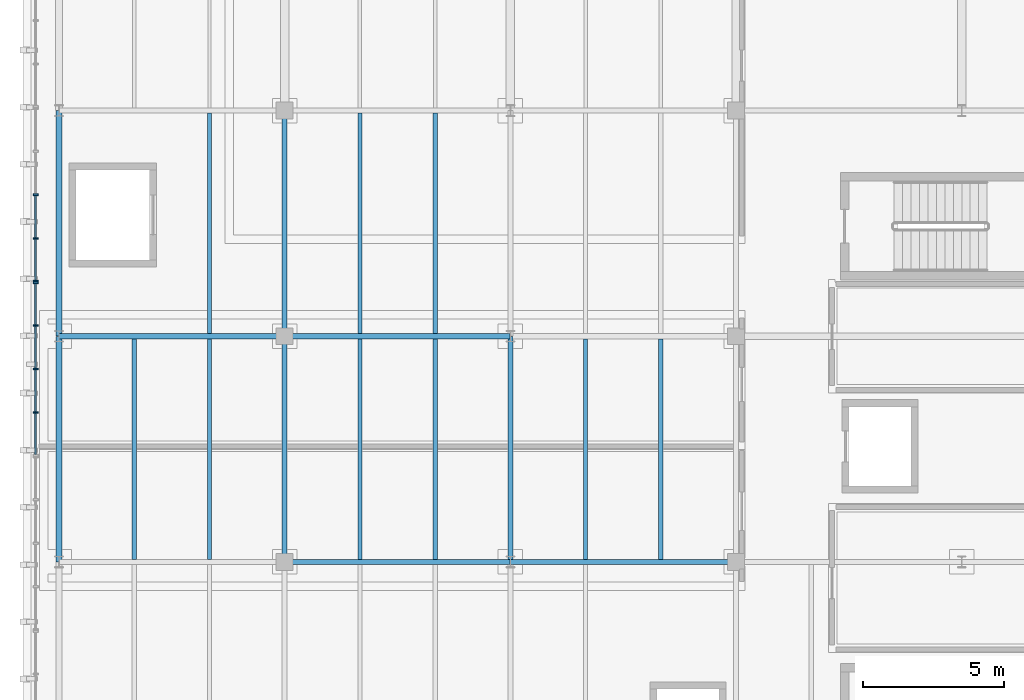
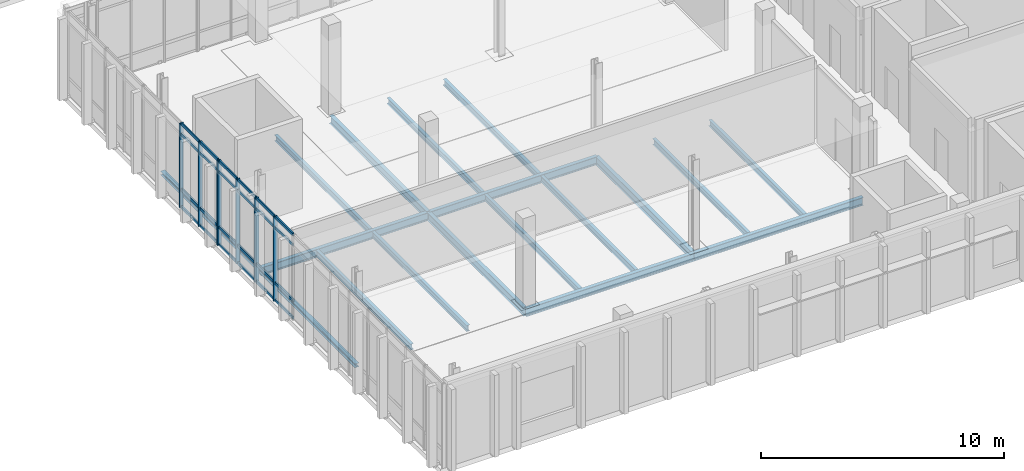
# One storey, part 8 of 62: 31 members, 18 beams, 2 elements without a shape of their own.
"""IFC4 building model written with IfcOpenShell, lengths in metres."""

from ifc_helpers import new_model, si_unit, direction, frame, origin, origin_2d, place, context, subcontext, project, spatial, rectangle, i_section, extrude, material, material_profile, profile_set, type_object, element, aggregate, save


model = new_model("IFC4")

# Units and contexts
model_context = context("Model", 3, precision=1e-05, world=origin(), true_north=direction((0.0, 1.0)))
body_context = subcontext(model_context, "Body", "Model", "MODEL_VIEW")
ifc_project = project(units=[si_unit("LENGTHUNIT", "METRE"), si_unit("AREAUNIT", "SQUARE_METRE"), si_unit("VOLUMEUNIT", "CUBIC_METRE"), si_unit("PLANEANGLEUNIT", "RADIAN"), si_unit("MASSUNIT", "GRAM", prefix="KILO")], contexts=[model_context])

# Site, building, storey
site_placement = place(None, origin())
site = spatial("IfcSite", under=ifc_project, at=site_placement, CompositionType="ELEMENT")
building_placement = place(site_placement, origin())
building = spatial("IfcBuilding", under=site, at=building_placement, Name="Cymarion Research Institute", CompositionType="ELEMENT")
storey_placement = place(building_placement, frame((0.0, 0.0, 18.300048828125)))
storey = spatial("IfcBuildingStorey", under=building, at=storey_placement, Name="L04", CompositionType="ELEMENT", Elevation=18.300048828125)

# Curtain wall, members
ifc_material_1 = material(Name="Anodised aluminium unitised curtain wall with Low-E glazing", Category="aluminium")
curtain_wall_type = type_object("IfcCurtainWallType", Name="UNITISED CURTAIN WALL CW43 6180X4240", PredefinedType="NOTDEFINED", material=ifc_material_1)
curtain_wall_1_placement = place(storey_placement, origin())
curtain_wall_1 = element("IfcCurtainWall", 1, at=curtain_wall_1_placement, inside=storey, type_object=curtain_wall_type, Name="L04 V4 unitised curtain wall CW43 #189", PredefinedType="NOTDEFINED")
ifc_material_2 = material(Name="Anodised aluminium framing", Category="aluminium")
ifc_material_profile_1 = material_profile(ifc_material_2, rectangle(XDim=0.06005859375, YDim=0.179931640625, at=origin_2d()), Name="ALU MULLION 60x180")
ifc_profile_set_1 = profile_set([ifc_material_profile_1], Name="Anodised aluminium framing")
member_type_1 = type_object("IfcMemberType", Name="CURTAIN WALL MULLION ML01 60X180", PredefinedType="MULLION", material=ifc_profile_set_1)
member_1_placement = place(storey_placement, frame((5.77001953125, 68.5146484375, 0.0), z_axis=(0.0, 0.0, 1.0), x_axis=(0.0, -1.0, 0.0)))
member_1 = element("IfcMember", 2, at=member_1_placement, type_object=member_type_1, Name="CW43 mullion 3", PredefinedType="MULLION", context=body_context, shape_type="SweptSolid", body=[
    extrude(rectangle(XDim=0.06005859375, YDim=0.179931640625, at=origin_2d()), origin(), (0.0, 0.0, 1.0), 4.239990234375),
])
member_2_placement = place(storey_placement, frame((5.77001953125, 66.970703125, 0.0), z_axis=(0.0, 0.0, 1.0), x_axis=(0.0, -1.0, 0.0)))
member_2 = element("IfcMember", 3, at=member_2_placement, type_object=member_type_1, Name="CW43 mullion 4", PredefinedType="MULLION", context=body_context, shape_type="SweptSolid", body=[
    extrude(rectangle(XDim=0.06005859375, YDim=0.179931640625, at=origin_2d()), origin(), (0.0, 0.0, 1.0), 4.239990234375),
])
member_3_placement = place(storey_placement, frame((5.77001953125, 65.456787109375, 0.0), z_axis=(0.0, 0.0, 1.0), x_axis=(0.0, -1.0, 0.0)))
member_3 = element("IfcMember", 4, at=member_3_placement, type_object=member_type_1, Name="CW43 mullion 5", PredefinedType="MULLION", context=body_context, shape_type="SweptSolid", body=[
    extrude(rectangle(XDim=0.06005859375, YDim=0.179931640625, at=origin_2d()), origin(), (0.0, 0.0, 1.0), 4.239990234375),
])

curtain_wall_2_placement = place(storey_placement, origin())
curtain_wall_2 = element("IfcCurtainWall", 5, at=curtain_wall_2_placement, inside=storey, type_object=curtain_wall_type, Name="L04 V4 unitised curtain wall CW43 #190", PredefinedType="NOTDEFINED")
member_4_placement = place(storey_placement, frame((5.77001953125, 65.396728515625, 0.0), z_axis=(0.0, 0.0, 1.0), x_axis=(0.0, -1.0, 0.0)))
member_4 = element("IfcMember", 6, at=member_4_placement, type_object=member_type_1, Name="CW43 mullion 1", PredefinedType="MULLION", context=body_context, shape_type="SweptSolid", body=[
    extrude(rectangle(XDim=0.06005859375, YDim=0.179931640625, at=origin_2d()), origin(), (0.0, 0.0, 1.0), 4.239990234375),
])
member_5_placement = place(storey_placement, frame((5.77001953125, 63.8828125, 0.0), z_axis=(0.0, 0.0, 1.0), x_axis=(0.0, -1.0, 0.0)))
member_5 = element("IfcMember", 7, at=member_5_placement, type_object=member_type_1, Name="CW43 mullion 2", PredefinedType="MULLION", context=body_context, shape_type="SweptSolid", body=[
    extrude(rectangle(XDim=0.06005859375, YDim=0.179931640625, at=origin_2d()), origin(), (0.0, 0.0, 1.0), 4.239990234375),
])
member_6_placement = place(storey_placement, frame((5.77001953125, 62.339111328125, 0.0), z_axis=(0.0, 0.0, 1.0), x_axis=(0.0, -1.0, 0.0)))
member_6 = element("IfcMember", 8, at=member_6_placement, type_object=member_type_1, Name="CW43 mullion 3", PredefinedType="MULLION", context=body_context, shape_type="SweptSolid", body=[
    extrude(rectangle(XDim=0.06005859375, YDim=0.179931640625, at=origin_2d()), origin(), (0.0, 0.0, 1.0), 4.239990234375),
])
member_7_placement = place(storey_placement, frame((5.77001953125, 60.795166015625, 0.0), z_axis=(0.0, 0.0, 1.0), x_axis=(0.0, -1.0, 0.0)))
member_7 = element("IfcMember", 9, at=member_7_placement, type_object=member_type_1, Name="CW43 mullion 4", PredefinedType="MULLION", context=body_context, shape_type="SweptSolid", body=[
    extrude(rectangle(XDim=0.06005859375, YDim=0.179931640625, at=origin_2d()), origin(), (0.0, 0.0, 1.0), 4.239990234375),
])

# Member
ifc_material_profile_2 = material_profile(ifc_material_2, rectangle(XDim=0.06005859375, YDim=0.14990234375, at=origin_2d()), Name="ALU TRANSOM 60x150")
ifc_profile_set_2 = profile_set([ifc_material_profile_2], Name="Anodised aluminium framing")
member_type_2 = type_object("IfcMemberType", Name="CURTAIN WALL TRANSOM TR01 60X150", PredefinedType="USERDEFINED", material=ifc_profile_set_2)
member_8_placement = place(storey_placement, frame((5.77001953125, 68.484619140625, 0.030029296875), z_axis=(0.0, -1.0, 0.0), x_axis=(1.0, 0.0, 0.0)))
member_8 = element("IfcMember", 10, at=member_8_placement, type_object=member_type_2, Name="CW43 transom 3.1", ObjectType="TRANSOM", PredefinedType="USERDEFINED", context=body_context, shape_type="SweptSolid", body=[
    extrude(rectangle(XDim=0.06005859375, YDim=0.14990234375, at=origin_2d()), origin(), (0.0, 0.0, 1.0), 1.48388671875),
])

member_9_placement = place(storey_placement, frame((5.77001953125, 68.484619140625, 0.89990234375), z_axis=(0.0, -1.0, 0.0), x_axis=(1.0, 0.0, 0.0)))
member_9 = element("IfcMember", 11, at=member_9_placement, type_object=member_type_2, Name="CW43 transom 3.2", ObjectType="TRANSOM", PredefinedType="USERDEFINED", context=body_context, shape_type="SweptSolid", body=[
    extrude(rectangle(XDim=0.06005859375, YDim=0.14990234375, at=origin_2d()), origin(), (0.0, 0.0, 1.0), 1.48388671875),
])

member_10_placement = place(storey_placement, frame((5.77001953125, 68.484619140625, 3.68994140625), z_axis=(0.0, -1.0, 0.0), x_axis=(1.0, 0.0, 0.0)))
member_10 = element("IfcMember", 12, at=member_10_placement, type_object=member_type_2, Name="CW43 transom 3.3", ObjectType="TRANSOM", PredefinedType="USERDEFINED", context=body_context, shape_type="SweptSolid", body=[
    extrude(rectangle(XDim=0.06005859375, YDim=0.14990234375, at=origin_2d()), origin(), (0.0, 0.0, 1.0), 1.48388671875),
])

member_11_placement = place(storey_placement, frame((5.77001953125, 68.484619140625, 4.2099609375), z_axis=(0.0, -1.0, 0.0), x_axis=(1.0, 0.0, 0.0)))
member_11 = element("IfcMember", 13, at=member_11_placement, type_object=member_type_2, Name="CW43 transom 3.4", ObjectType="TRANSOM", PredefinedType="USERDEFINED", context=body_context, shape_type="SweptSolid", body=[
    extrude(rectangle(XDim=0.06005859375, YDim=0.14990234375, at=origin_2d()), origin(), (0.0, 0.0, 1.0), 1.48388671875),
])

member_12_placement = place(storey_placement, frame((5.77001953125, 66.940673828125, 0.030029296875), z_axis=(0.0, -1.0, 0.0), x_axis=(1.0, 0.0, 0.0)))
member_12 = element("IfcMember", 14, at=member_12_placement, type_object=member_type_2, Name="CW43 transom 4.1", ObjectType="TRANSOM", PredefinedType="USERDEFINED", context=body_context, shape_type="SweptSolid", body=[
    extrude(rectangle(XDim=0.06005859375, YDim=0.14990234375, at=origin_2d()), origin(), (0.0, 0.0, 1.0), 1.453857421875),
])

member_13_placement = place(storey_placement, frame((5.77001953125, 66.940673828125, 0.89990234375), z_axis=(0.0, -1.0, 0.0), x_axis=(1.0, 0.0, 0.0)))
member_13 = element("IfcMember", 15, at=member_13_placement, type_object=member_type_2, Name="CW43 transom 4.2", ObjectType="TRANSOM", PredefinedType="USERDEFINED", context=body_context, shape_type="SweptSolid", body=[
    extrude(rectangle(XDim=0.06005859375, YDim=0.14990234375, at=origin_2d()), origin(), (0.0, 0.0, 1.0), 1.453857421875),
])

member_14_placement = place(storey_placement, frame((5.77001953125, 66.940673828125, 3.68994140625), z_axis=(0.0, -1.0, 0.0), x_axis=(1.0, 0.0, 0.0)))
member_14 = element("IfcMember", 16, at=member_14_placement, type_object=member_type_2, Name="CW43 transom 4.3", ObjectType="TRANSOM", PredefinedType="USERDEFINED", context=body_context, shape_type="SweptSolid", body=[
    extrude(rectangle(XDim=0.06005859375, YDim=0.14990234375, at=origin_2d()), origin(), (0.0, 0.0, 1.0), 1.453857421875),
])

member_15_placement = place(storey_placement, frame((5.77001953125, 66.940673828125, 4.2099609375), z_axis=(0.0, -1.0, 0.0), x_axis=(1.0, 0.0, 0.0)))
member_15 = element("IfcMember", 17, at=member_15_placement, type_object=member_type_2, Name="CW43 transom 4.4", ObjectType="TRANSOM", PredefinedType="USERDEFINED", context=body_context, shape_type="SweptSolid", body=[
    extrude(rectangle(XDim=0.06005859375, YDim=0.14990234375, at=origin_2d()), origin(), (0.0, 0.0, 1.0), 1.453857421875),
])

aggregate(curtain_wall_1, [member_1, member_2, member_3, member_8, member_9, member_10, member_11, member_12, member_13, member_14, member_15])

member_16_placement = place(storey_placement, frame((5.77001953125, 65.36669921875, 0.030029296875), z_axis=(0.0, -1.0, 0.0), x_axis=(1.0, 0.0, 0.0)))
member_16 = element("IfcMember", 18, at=member_16_placement, type_object=member_type_2, Name="CW43 transom 1.1", ObjectType="TRANSOM", PredefinedType="USERDEFINED", context=body_context, shape_type="SweptSolid", body=[
    extrude(rectangle(XDim=0.06005859375, YDim=0.14990234375, at=origin_2d()), origin(), (0.0, 0.0, 1.0), 1.453857421875),
])

member_17_placement = place(storey_placement, frame((5.77001953125, 65.36669921875, 0.89990234375), z_axis=(0.0, -1.0, 0.0), x_axis=(1.0, 0.0, 0.0)))
member_17 = element("IfcMember", 19, at=member_17_placement, type_object=member_type_2, Name="CW43 transom 1.2", ObjectType="TRANSOM", PredefinedType="USERDEFINED", context=body_context, shape_type="SweptSolid", body=[
    extrude(rectangle(XDim=0.06005859375, YDim=0.14990234375, at=origin_2d()), origin(), (0.0, 0.0, 1.0), 1.453857421875),
])

member_18_placement = place(storey_placement, frame((5.77001953125, 65.36669921875, 3.68994140625), z_axis=(0.0, -1.0, 0.0), x_axis=(1.0, 0.0, 0.0)))
member_18 = element("IfcMember", 20, at=member_18_placement, type_object=member_type_2, Name="CW43 transom 1.3", ObjectType="TRANSOM", PredefinedType="USERDEFINED", context=body_context, shape_type="SweptSolid", body=[
    extrude(rectangle(XDim=0.06005859375, YDim=0.14990234375, at=origin_2d()), origin(), (0.0, 0.0, 1.0), 1.453857421875),
])

member_19_placement = place(storey_placement, frame((5.77001953125, 65.36669921875, 4.2099609375), z_axis=(0.0, -1.0, 0.0), x_axis=(1.0, 0.0, 0.0)))
member_19 = element("IfcMember", 21, at=member_19_placement, type_object=member_type_2, Name="CW43 transom 1.4", ObjectType="TRANSOM", PredefinedType="USERDEFINED", context=body_context, shape_type="SweptSolid", body=[
    extrude(rectangle(XDim=0.06005859375, YDim=0.14990234375, at=origin_2d()), origin(), (0.0, 0.0, 1.0), 1.453857421875),
])

member_20_placement = place(storey_placement, frame((5.77001953125, 63.852783203125, 0.030029296875), z_axis=(0.0, -1.0, 0.0), x_axis=(1.0, 0.0, 0.0)))
member_20 = element("IfcMember", 22, at=member_20_placement, type_object=member_type_2, Name="CW43 transom 2.1", ObjectType="TRANSOM", PredefinedType="USERDEFINED", context=body_context, shape_type="SweptSolid", body=[
    extrude(rectangle(XDim=0.06005859375, YDim=0.14990234375, at=origin_2d()), origin(), (0.0, 0.0, 1.0), 1.48388671875),
])

member_21_placement = place(storey_placement, frame((5.77001953125, 63.852783203125, 0.89990234375), z_axis=(0.0, -1.0, 0.0), x_axis=(1.0, 0.0, 0.0)))
member_21 = element("IfcMember", 23, at=member_21_placement, type_object=member_type_2, Name="CW43 transom 2.2", ObjectType="TRANSOM", PredefinedType="USERDEFINED", context=body_context, shape_type="SweptSolid", body=[
    extrude(rectangle(XDim=0.06005859375, YDim=0.14990234375, at=origin_2d()), origin(), (0.0, 0.0, 1.0), 1.48388671875),
])

member_22_placement = place(storey_placement, frame((5.77001953125, 63.852783203125, 3.68994140625), z_axis=(0.0, -1.0, 0.0), x_axis=(1.0, 0.0, 0.0)))
member_22 = element("IfcMember", 24, at=member_22_placement, type_object=member_type_2, Name="CW43 transom 2.3", ObjectType="TRANSOM", PredefinedType="USERDEFINED", context=body_context, shape_type="SweptSolid", body=[
    extrude(rectangle(XDim=0.06005859375, YDim=0.14990234375, at=origin_2d()), origin(), (0.0, 0.0, 1.0), 1.48388671875),
])

member_23_placement = place(storey_placement, frame((5.77001953125, 63.852783203125, 4.2099609375), z_axis=(0.0, -1.0, 0.0), x_axis=(1.0, 0.0, 0.0)))
member_23 = element("IfcMember", 25, at=member_23_placement, type_object=member_type_2, Name="CW43 transom 2.4", ObjectType="TRANSOM", PredefinedType="USERDEFINED", context=body_context, shape_type="SweptSolid", body=[
    extrude(rectangle(XDim=0.06005859375, YDim=0.14990234375, at=origin_2d()), origin(), (0.0, 0.0, 1.0), 1.48388671875),
])

member_24_placement = place(storey_placement, frame((5.77001953125, 62.30908203125, 0.030029296875), z_axis=(0.0, -1.0, 0.0), x_axis=(1.0, 0.0, 0.0)))
member_24 = element("IfcMember", 26, at=member_24_placement, type_object=member_type_2, Name="CW43 transom 3.1", ObjectType="TRANSOM", PredefinedType="USERDEFINED", context=body_context, shape_type="SweptSolid", body=[
    extrude(rectangle(XDim=0.06005859375, YDim=0.14990234375, at=origin_2d()), origin(), (0.0, 0.0, 1.0), 1.48388671875),
])

member_25_placement = place(storey_placement, frame((5.77001953125, 62.30908203125, 0.89990234375), z_axis=(0.0, -1.0, 0.0), x_axis=(1.0, 0.0, 0.0)))
member_25 = element("IfcMember", 27, at=member_25_placement, type_object=member_type_2, Name="CW43 transom 3.2", ObjectType="TRANSOM", PredefinedType="USERDEFINED", context=body_context, shape_type="SweptSolid", body=[
    extrude(rectangle(XDim=0.06005859375, YDim=0.14990234375, at=origin_2d()), origin(), (0.0, 0.0, 1.0), 1.48388671875),
])

member_26_placement = place(storey_placement, frame((5.77001953125, 62.30908203125, 3.68994140625), z_axis=(0.0, -1.0, 0.0), x_axis=(1.0, 0.0, 0.0)))
member_26 = element("IfcMember", 28, at=member_26_placement, type_object=member_type_2, Name="CW43 transom 3.3", ObjectType="TRANSOM", PredefinedType="USERDEFINED", context=body_context, shape_type="SweptSolid", body=[
    extrude(rectangle(XDim=0.06005859375, YDim=0.14990234375, at=origin_2d()), origin(), (0.0, 0.0, 1.0), 1.48388671875),
])

member_27_placement = place(storey_placement, frame((5.77001953125, 62.30908203125, 4.2099609375), z_axis=(0.0, -1.0, 0.0), x_axis=(1.0, 0.0, 0.0)))
member_27 = element("IfcMember", 29, at=member_27_placement, type_object=member_type_2, Name="CW43 transom 3.4", ObjectType="TRANSOM", PredefinedType="USERDEFINED", context=body_context, shape_type="SweptSolid", body=[
    extrude(rectangle(XDim=0.06005859375, YDim=0.14990234375, at=origin_2d()), origin(), (0.0, 0.0, 1.0), 1.48388671875),
])

member_28_placement = place(storey_placement, frame((5.77001953125, 60.76513671875, 0.030029296875), z_axis=(0.0, -1.0, 0.0), x_axis=(1.0, 0.0, 0.0)))
member_28 = element("IfcMember", 30, at=member_28_placement, type_object=member_type_2, Name="CW43 transom 4.1", ObjectType="TRANSOM", PredefinedType="USERDEFINED", context=body_context, shape_type="SweptSolid", body=[
    extrude(rectangle(XDim=0.06005859375, YDim=0.14990234375, at=origin_2d()), origin(), (0.0, 0.0, 1.0), 1.453857421875),
])

member_29_placement = place(storey_placement, frame((5.77001953125, 60.76513671875, 0.89990234375), z_axis=(0.0, -1.0, 0.0), x_axis=(1.0, 0.0, 0.0)))
member_29 = element("IfcMember", 31, at=member_29_placement, type_object=member_type_2, Name="CW43 transom 4.2", ObjectType="TRANSOM", PredefinedType="USERDEFINED", context=body_context, shape_type="SweptSolid", body=[
    extrude(rectangle(XDim=0.06005859375, YDim=0.14990234375, at=origin_2d()), origin(), (0.0, 0.0, 1.0), 1.453857421875),
])

member_30_placement = place(storey_placement, frame((5.77001953125, 60.76513671875, 3.68994140625), z_axis=(0.0, -1.0, 0.0), x_axis=(1.0, 0.0, 0.0)))
member_30 = element("IfcMember", 32, at=member_30_placement, type_object=member_type_2, Name="CW43 transom 4.3", ObjectType="TRANSOM", PredefinedType="USERDEFINED", context=body_context, shape_type="SweptSolid", body=[
    extrude(rectangle(XDim=0.06005859375, YDim=0.14990234375, at=origin_2d()), origin(), (0.0, 0.0, 1.0), 1.453857421875),
])

member_31_placement = place(storey_placement, frame((5.77001953125, 60.76513671875, 4.2099609375), z_axis=(0.0, -1.0, 0.0), x_axis=(1.0, 0.0, 0.0)))
member_31 = element("IfcMember", 33, at=member_31_placement, type_object=member_type_2, Name="CW43 transom 4.4", ObjectType="TRANSOM", PredefinedType="USERDEFINED", context=body_context, shape_type="SweptSolid", body=[
    extrude(rectangle(XDim=0.06005859375, YDim=0.14990234375, at=origin_2d()), origin(), (0.0, 0.0, 1.0), 1.453857421875),
])

aggregate(curtain_wall_2, [member_4, member_5, member_6, member_7, member_16, member_17, member_18, member_19, member_20, member_21, member_22, member_23, member_24, member_25, member_26, member_27, member_28, member_29, member_30, member_31])

# Beams
ifc_material_3 = material(Name="Steel S355", Category="steel")
ifc_material_profile_3 = material_profile(ifc_material_3, i_section(OverallWidth=0.179931640625, OverallDepth=0.39990234375, WebThickness=0.008544921875, FlangeThickness=0.013427734375, FilletRadius=0.02099609375, at=origin_2d()), Name="IPE 400")
ifc_profile_set_3 = profile_set([ifc_material_profile_3], Name="Steel S355")
beam_type_1 = type_object("IfcBeamType", Name="PRIMARY GIRDER BM05 IPE 400", PredefinedType="BEAM", material=ifc_profile_set_3)
for number, where, z_axis, x_axis, name in (
    (34, (14.60595703125, 55.5, -0.449951171875), (1.0, 0.0, 0.0), (0.0, 1.0, 0.0), "L04 V4 girder BM05 #1708"),
    (35, (22.60595703125, 55.5, -0.449951171875), (1.0, 0.0, 0.0), (0.0, 1.0, 0.0), "L04 V4 girder BM05 #1709"),
    (36, (6.60595703125, 63.5, -0.449951171875), (1.0, 0.0, 0.0), (0.0, 1.0, 0.0), "L04 V4 girder BM05 #1712"),
    (37, (14.60595703125, 63.5, -0.449951171875), (1.0, 0.0, 0.0), (0.0, 1.0, 0.0), "L04 V4 girder BM05 #1713"),
):
    element("IfcBeam", number, at=place(storey_placement, frame(where, z_axis=z_axis, x_axis=x_axis)), inside=storey, type_object=beam_type_1, Name=name, PredefinedType="BEAM", context=body_context, shape_type="SweptSolid", body=[
        extrude(i_section(OverallWidth=0.179931640625, OverallDepth=0.39990234375, WebThickness=0.008544921875, FlangeThickness=0.013427734375, FilletRadius=0.02099609375, at=origin_2d()), origin(), (0.0, 0.0, 1.0), 7.988037109375),
    ])
for number, where, z_axis, x_axis, name in (
    (38, (14.60009765625, 55.506103515625, -0.449951171875), (0.0, 1.0, 0.0), (-1.0, 0.0, 0.0), "L04 V4 girder BM05 #1732"),
    (39, (14.60009765625, 63.506103515625, -0.449951171875), (0.0, 1.0, 0.0), (-1.0, 0.0, 0.0), "L04 V4 girder BM05 #1733"),
    (40, (22.60009765625, 55.506103515625, -0.449951171875), (0.0, 1.0, 0.0), (-1.0, 0.0, 0.0), "L04 V4 girder BM05 #1736"),
):
    element("IfcBeam", number, at=place(storey_placement, frame(where, z_axis=z_axis, x_axis=x_axis)), inside=storey, type_object=beam_type_1, Name=name, PredefinedType="BEAM", context=body_context, shape_type="SweptSolid", body=[
        extrude(i_section(OverallWidth=0.179931640625, OverallDepth=0.39990234375, WebThickness=0.008544921875, FlangeThickness=0.013427734375, FilletRadius=0.02099609375, at=origin_2d()), origin(), (0.0, 0.0, 1.0), 7.98779296875),
    ])
ifc_material_profile_4 = material_profile(ifc_material_3, i_section(OverallWidth=0.14990234375, OverallDepth=0.300048828125, WebThickness=0.007080078125, FlangeThickness=0.0107421875, FilletRadius=0.014892578125, at=origin_2d()), Name="IPE 300")
ifc_profile_set_4 = profile_set([ifc_material_profile_4], Name="Steel S355")
beam_type_2 = type_object("IfcBeamType", Name="SECONDARY JOIST JS02 IPE 300", PredefinedType="JOIST", material=ifc_profile_set_4)
for number, where, z_axis, x_axis, name in (
    (41, (9.2666015625, 55.593994140625, -0.400146484375), (0.0, 1.0, 0.0), (-1.0, 0.0, 0.0), "L04 V4 secondary joist JS02 #1756"),
    (42, (11.933349609375, 55.593994140625, -0.400146484375), (0.0, 1.0, 0.0), (-1.0, 0.0, 0.0), "L04 V4 secondary joist JS02 #1757"),
    (43, (17.2666015625, 55.593994140625, -0.400146484375), (0.0, 1.0, 0.0), (-1.0, 0.0, 0.0), "L04 V4 secondary joist JS02 #1758"),
    (44, (19.933349609375, 55.593994140625, -0.400146484375), (0.0, 1.0, 0.0), (-1.0, 0.0, 0.0), "L04 V4 secondary joist JS02 #1759"),
    (45, (25.2666015625, 55.593994140625, -0.400146484375), (0.0, 1.0, 0.0), (-1.0, 0.0, 0.0), "L04 V4 secondary joist JS02 #1760"),
    (46, (27.933349609375, 55.593994140625, -0.400146484375), (0.0, 1.0, 0.0), (-1.0, 0.0, 0.0), "L04 V4 secondary joist JS02 #1761"),
    (47, (11.933349609375, 63.593994140625, -0.400146484375), (0.0, 1.0, 0.0), (-1.0, 0.0, 0.0), "L04 V4 secondary joist JS02 #1762"),
    (48, (17.2666015625, 63.593994140625, -0.400146484375), (0.0, 1.0, 0.0), (-1.0, 0.0, 0.0), "L04 V4 secondary joist JS02 #1763"),
    (49, (19.933349609375, 63.593994140625, -0.400146484375), (0.0, 1.0, 0.0), (-1.0, 0.0, 0.0), "L04 V4 secondary joist JS02 #1764"),
):
    element("IfcBeam", number, at=place(storey_placement, frame(where, z_axis=z_axis, x_axis=x_axis)), inside=storey, type_object=beam_type_2, Name=name, PredefinedType="JOIST", context=body_context, shape_type="SweptSolid", body=[
        extrude(i_section(OverallWidth=0.14990234375, OverallDepth=0.300048828125, WebThickness=0.007080078125, FlangeThickness=0.0107421875, FilletRadius=0.014892578125, at=origin_2d()), origin(), (0.0, 0.0, 1.0), 7.81201171875),
    ])
ifc_material_profile_5 = material_profile(ifc_material_3, i_section(OverallWidth=0.199951171875, OverallDepth=0.18994140625, WebThickness=0.006591796875, FlangeThickness=0.010009765625, FilletRadius=0.01806640625, at=origin_2d()), Name="HEA 200")
ifc_profile_set_5 = profile_set([ifc_material_profile_5], Name="Steel S355")
beam_type_3 = type_object("IfcBeamType", Name="SPANDREL BEAM SPB04 HEA 200", PredefinedType="SPANDREL", material=ifc_profile_set_5)
for number, where, z_axis, x_axis, name in (
    (50, (6.60009765625, 55.506103515625, -0.344970703125), (0.0, 1.0, 0.0), (-1.0, 0.0, 0.0), "L04 V4 girder SPB04 #1728"),
    (51, (6.60009765625, 63.506103515625, -0.344970703125), (0.0, 1.0, 0.0), (-1.0, 0.0, 0.0), "L04 V4 girder SPB04 #1729"),
):
    element("IfcBeam", number, at=place(storey_placement, frame(where, z_axis=z_axis, x_axis=x_axis)), inside=storey, type_object=beam_type_3, Name=name, PredefinedType="SPANDREL", context=body_context, shape_type="SweptSolid", body=[
        extrude(i_section(OverallWidth=0.199951171875, OverallDepth=0.18994140625, WebThickness=0.006591796875, FlangeThickness=0.010009765625, FilletRadius=0.01806640625, at=origin_2d()), origin(), (0.0, 0.0, 1.0), 7.98779296875),
    ])

save(model, "model.ifc")
